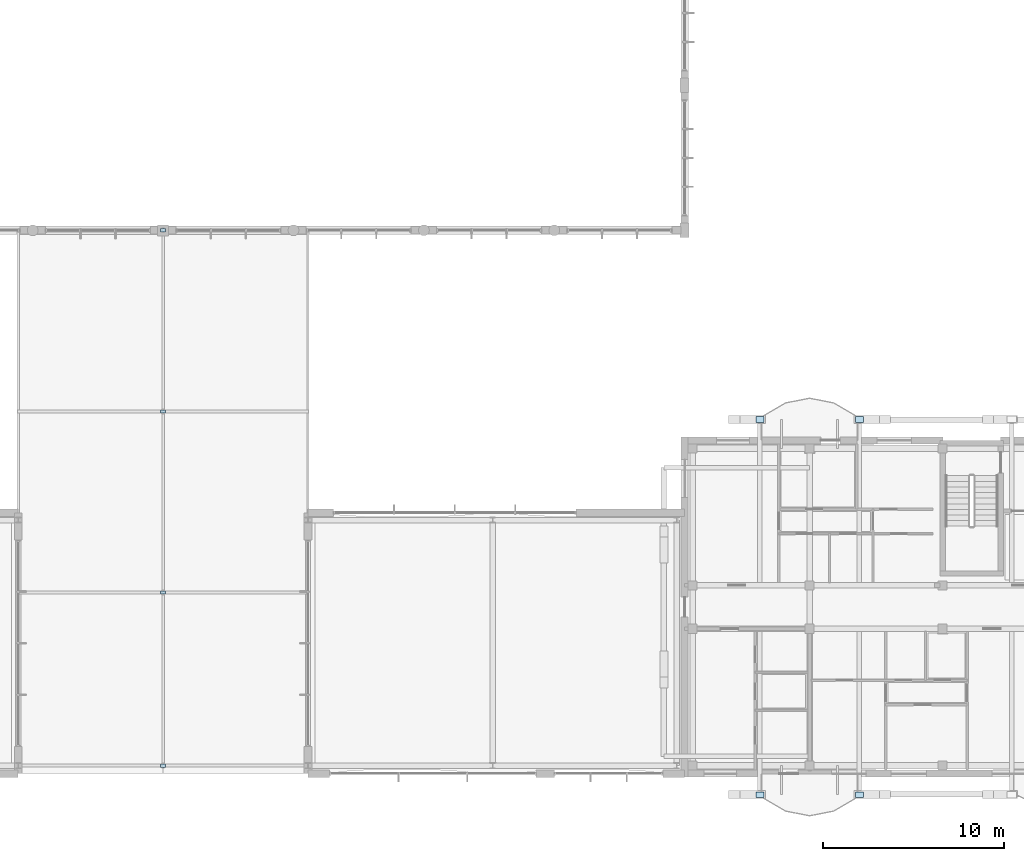
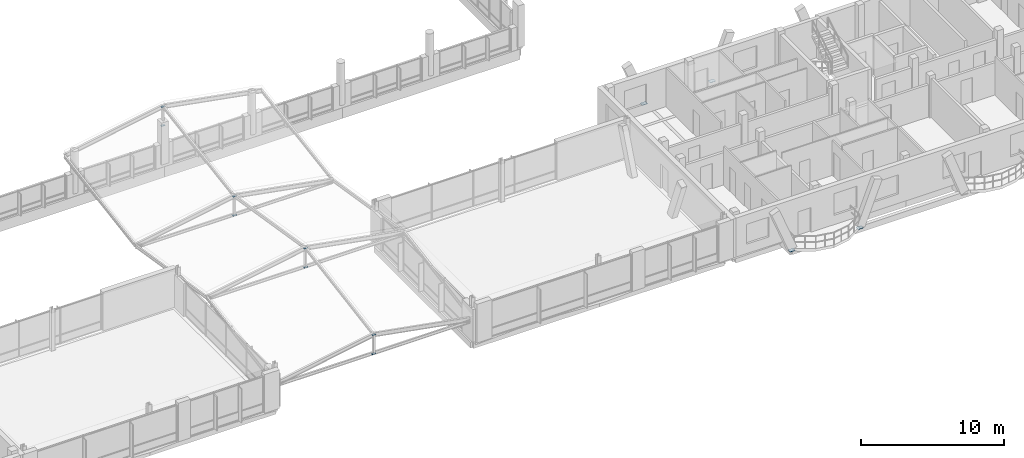
# One storey, part 135 of 189: 12 plates.
"""IFC4 building model written with IfcOpenShell, lengths in metres."""

import ifcopenshell
import ifcopenshell.guid

model = None  # the IFC model being written
_history = None  # IfcOwnerHistory: only IFC2X3 demands one
_inside = {}  # id of a spatial element -> (the spatial element, [elements in it])
_under = {}  # id of a project, library or spatial element -> (it, [spatial elements below it])
_declared = {}  # id of a project -> (the project, [libraries it declares])
_typed = {}  # id of a type object -> (the type object, [elements of that type])
_made_of = {}  # id of a material, layer set ... -> (it, [elements and type objects made of it])


def new_model(schema):
    """Start an empty IFC model of exactly this schema.

    Asked for "IFC4X3", IfcOpenShell would pick the latest addendum, in which some entities
    have other attributes; the version numbers below select the first issue.
    IFC2X3 requires an IfcOwnerHistory on every rooted entity: one is made here for all.
    """
    global model, _history
    if schema == "IFC4X3":
        model = ifcopenshell.file(schema_version=(4, 3, 0, 0))
    else:
        model = ifcopenshell.file(schema=schema)
    _inside.clear()
    _under.clear()
    _declared.clear()
    _typed.clear()
    _made_of.clear()
    _history = None
    if model.schema == "IFC2X3":
        org = make("IfcOrganization", Name="unknown")
        user = make(
            "IfcPersonAndOrganization",
            ThePerson=make("IfcPerson", FamilyName="unknown"),
            TheOrganization=org,
        )
        app = make(
            "IfcApplication",
            ApplicationDeveloper=org,
            Version="unknown",
            ApplicationFullName="unknown",
            ApplicationIdentifier="unknown",
        )
        _history = make(
            "IfcOwnerHistory",
            OwningUser=user,
            OwningApplication=app,
            ChangeAction="ADDED",
            CreationDate=0,
        )
    return model


def make(cls, **values):
    """One entity of the class cls with the attributes given. An attribute that is None is left unset."""
    return model.create_entity(
        cls, **{name: value for name, value in values.items() if value is not None}
    )


def rooted(cls, **values):
    """An entity with a GlobalId (a new one), such as an element, a storey or a relation."""
    return make(cls, GlobalId=ifcopenshell.guid.new(), OwnerHistory=_history, **values)


def si_unit(unit_type, name, prefix=None):
    """IfcSIUnit, for example si_unit("LENGTHUNIT", "METRE", prefix="MILLI")."""
    return make("IfcSIUnit", UnitType=unit_type, Prefix=prefix, Name=name)


def assignment(units):
    """IfcUnitAssignment: the units of a project."""
    return None if units is None else make("IfcUnitAssignment", Units=units)


def point(xyz):
    """IfcCartesianPoint."""
    return None if xyz is None else make("IfcCartesianPoint", Coordinates=xyz)


def direction(xyz):
    """IfcDirection."""
    return None if xyz is None else make("IfcDirection", DirectionRatios=xyz)


def frame(location, z_axis=None, x_axis=None):
    """IfcAxis2Placement3D, a coordinate frame: its origin and axes. An axis left out is left unset."""
    return make(
        "IfcAxis2Placement3D",
        Location=point(location),
        Axis=direction(z_axis),
        RefDirection=direction(x_axis),
    )


def frame_2d(location, x_axis=None):
    """IfcAxis2Placement2D, a coordinate frame in the plane: its origin and x axis."""
    return make(
        "IfcAxis2Placement2D", Location=point(location), RefDirection=direction(x_axis)
    )


def origin():
    """The frame at (0, 0, 0) with its axes left unset."""
    return frame((0.0, 0.0, 0.0))


def origin_2d():
    """The frame at (0, 0) in the plane with its x axis left unset."""
    return frame_2d((0.0, 0.0))


def place(relative_to, where):
    """IfcLocalPlacement: puts the frame where relative to a parent placement (None: the world)."""
    return make(
        "IfcLocalPlacement", PlacementRelTo=relative_to, RelativePlacement=where
    )


def context(
    kind, dimensions, precision=None, world=None, true_north=None, identifier=None
):
    """IfcGeometricRepresentationContext, for example the 3D "Model" context."""
    return make(
        "IfcGeometricRepresentationContext",
        ContextIdentifier=identifier,
        ContextType=kind,
        CoordinateSpaceDimension=dimensions,
        Precision=precision,
        WorldCoordinateSystem=world,
        TrueNorth=true_north,
    )


def subcontext(parent, identifier, kind, view, scale=None):
    """IfcGeometricRepresentationSubContext, for example "Body" below "Model"."""
    return make(
        "IfcGeometricRepresentationSubContext",
        ContextIdentifier=identifier,
        ContextType=kind,
        ParentContext=parent,
        TargetScale=scale,
        TargetView=view,
    )


def project(units=None, contexts=None):
    """IfcProject with its units and contexts."""
    return rooted(
        "IfcProject",
        Name="project",
        RepresentationContexts=contexts,
        UnitsInContext=assignment(units),
    )


def spatial(cls, under=None, at=None, **own):
    """A site, building, storey or space (cls), placed at a placement, below another one or the project."""
    s = rooted(cls, ObjectPlacement=at, **own)
    if under is not None:
        _under.setdefault(under.id(), (under, []))[1].append(s)
    return s


def profile(cls, at=None, kind="AREA", **sizes):
    """A parametric profile (cls). Its sizes go by their IFC names, for example OverallWidth=200.0."""
    return make(cls, ProfileType=kind, Position=at, **sizes)


def rectangle(**sizes):
    """IfcRectangleProfileDef."""
    return profile("IfcRectangleProfileDef", **sizes)


def extrude(swept, where, along, depth):
    """IfcExtrudedAreaSolid: the profile swept, set in the frame where, extruded along a direction by depth."""
    return make(
        "IfcExtrudedAreaSolid",
        SweptArea=swept,
        Position=where,
        ExtrudedDirection=direction(along),
        Depth=depth,
    )


def shape(context_of_items, identifier, shape_type, items):
    """IfcShapeRepresentation: the items that make up one representation, for example the "Body"."""
    return make(
        "IfcShapeRepresentation",
        ContextOfItems=context_of_items,
        RepresentationIdentifier=identifier,
        RepresentationType=shape_type,
        Items=items,
    )


def material(Name=None, Category=None):
    """IfcMaterial."""
    return make("IfcMaterial", Name=Name, Category=Category)


def layer(
    of_material, thickness, ventilated=None, Name=None, Category=None, Priority=None
):
    """IfcMaterialLayer: one layer of a wall or slab, of a material (None: an air gap)."""
    return make(
        "IfcMaterialLayer",
        Material=of_material,
        LayerThickness=thickness,
        IsVentilated=ventilated,
        Name=Name,
        Category=Category,
        Priority=Priority,
    )


def layer_set(layers, Name=None):
    """IfcMaterialLayerSet."""
    return make("IfcMaterialLayerSet", MaterialLayers=layers, LayerSetName=Name)


def made_of(thing, what):
    """Note that an element or type object is made of a material, layer set ...; save() writes the relation."""
    if what is not None:
        _made_of.setdefault(what.id(), (what, []))[1].append(thing)
    return thing


def type_object(cls, material=None, **own):
    """A type object (cls), such as IfcWallType, which elements share."""
    return made_of(rooted(cls, **own), material)


def element(
    cls,
    number,
    at=None,
    inside=None,
    cuts=None,
    type_object=None,
    material=None,
    context=None,
    identifier="Body",
    shape_type=None,
    held_by="IfcProductDefinitionShape",
    body=None,
    shapes=None,
    **own,
):
    """One element of the class cls, such as IfcWall. Its Tag is "e" and its number.

    at: its placement. inside: the storey or other place that contains it. cuts: it is an
    opening in that element (IfcRelVoidsElement). A single representation is given by context,
    identifier, shape_type and body (its items); several are given by shapes. held_by: the class
    of the entity that holds the representations. save() writes the other relations.
    """
    e = rooted(cls, Tag="e%d" % number, ObjectPlacement=at, **own)
    if body is not None:
        shapes = [shape(context, identifier, shape_type, body)]
    if shapes is not None:
        e.Representation = make(held_by, Representations=shapes)
    if inside is not None:
        _inside.setdefault(inside.id(), (inside, []))[1].append(e)
    if cuts is not None:
        rooted(
            "IfcRelVoidsElement", RelatingBuildingElement=cuts, RelatedOpeningElement=e
        )
    if type_object is not None:
        _typed.setdefault(type_object.id(), (type_object, []))[1].append(e)
    return made_of(e, material)


def aggregate(whole, parts):
    """IfcRelAggregates: a whole, such as a stair, and the parts it consists of."""
    return rooted("IfcRelAggregates", RelatingObject=whole, RelatedObjects=parts)


def save(model, path):
    """Write the relations noted so far, then the file.

    IfcRelAggregates (storeys below a building ...), IfcRelContainedInSpatialStructure (elements
    in a storey), IfcRelDefinesByType, IfcRelAssociatesMaterial and IfcRelDeclares: one each for
    every whole, place, type object, material and project.
    """
    for whole, parts in _under.values():
        aggregate(whole, parts)
    for where, things in _inside.values():
        rooted(
            "IfcRelContainedInSpatialStructure",
            RelatedElements=things,
            RelatingStructure=where,
        )
    for kind, things in _typed.values():
        rooted("IfcRelDefinesByType", RelatedObjects=things, RelatingType=kind)
    for what, things in _made_of.values():
        rooted("IfcRelAssociatesMaterial", RelatedObjects=things, RelatingMaterial=what)
    for by, libraries in _declared.values():
        rooted("IfcRelDeclares", RelatingContext=by, RelatedDefinitions=libraries)
    model.write(path)


model = new_model("IFC4")

# Units and contexts
model_context = context("Model", 3, precision=1e-05, world=origin(), true_north=direction((0.0, 1.0)))
body_context = subcontext(model_context, "Body", "Model", "MODEL_VIEW")
ifc_project = project(units=[si_unit("LENGTHUNIT", "METRE"), si_unit("AREAUNIT", "SQUARE_METRE"), si_unit("VOLUMEUNIT", "CUBIC_METRE"), si_unit("PLANEANGLEUNIT", "RADIAN"), si_unit("MASSUNIT", "GRAM", prefix="KILO")], contexts=[model_context])

# Site, building, storey
site_placement = place(None, origin())
site = spatial("IfcSite", under=ifc_project, at=site_placement, CompositionType="ELEMENT")
building_placement = place(site_placement, origin())
building = spatial("IfcBuilding", under=site, at=building_placement, Name="Zavelmont Quarter", CompositionType="ELEMENT")
storey_placement = place(building_placement, frame((0.0, 0.0, 4.39990234375)))
storey = spatial("IfcBuildingStorey", under=building, at=storey_placement, Name="L01", CompositionType="ELEMENT", Elevation=4.39990234375)

# Plates
ifc_material = material(Name="Steel S355", Category="steel")
ifc_layer_1 = layer(ifc_material, 0.02001953125)
ifc_layer_set_1 = layer_set([ifc_layer_1], Name="Steel S355")
plate_type_1 = type_object("IfcPlateType", Name="NP01", PredefinedType="SHEET", material=ifc_layer_set_1)
for number, where, z_axis, x_axis, name in (
    (1, (84.0, 0.43994140625, 1.510009765625), (0.0, 0.0, 1.0), (1.0, 0.0, 0.0), "L01 steel connection plate NP01 at 13/A"),
    (2, (84.0, 0.43994140625, 3.14013671875), (0.0, 0.0, 1.0), (1.0, 0.0, 0.0), "L01 steel connection plate NP01 at 13/A"),
    (3, (84.0, 10.0, 3.130126953125), (0.0, 0.0, 1.0), (1.0, 0.0, 0.0), "L01 steel connection plate NP01 at 13/C"),
    (4, (84.0, 10.0, 4.760009765625), (0.0, 0.0, 1.0), (1.0, 0.0, 0.0), "L01 steel connection plate NP01 at 13/C"),
    (5, (84.0, 20.0, 1.510009765625), (0.0, 0.0, 1.0), (1.0, 0.0, 0.0), "L01 steel connection plate NP01 at 13/D"),
    (6, (84.0, 20.0, 3.14013671875), (0.0, 0.0, 1.0), (1.0, 0.0, 0.0), "L01 steel connection plate NP01 at 13/D"),
    (7, (84.0, 30.0, 3.130126953125), (0.0, 0.0, 1.0), (1.0, 0.0, 0.0), "L01 steel connection plate NP01 at 13/F"),
    (8, (84.0, 30.0, 4.760009765625), (0.0, 0.0, 1.0), (1.0, 0.0, 0.0), "L01 steel connection plate NP01 at 13/F"),
):
    element("IfcPlate", number, at=place(storey_placement, frame(where, z_axis=z_axis, x_axis=x_axis)), inside=storey, type_object=plate_type_1, Name=name, PredefinedType="SHEET", context=body_context, shape_type="SweptSolid", body=[
        extrude(rectangle(XDim=0.280029296875, YDim=0.179931640625, at=origin_2d()), origin(), (0.0, 0.0, 1.0), 0.02001953125),
    ])
ifc_layer_2 = layer(ifc_material, 0.02490234375)
ifc_layer_set_2 = layer_set([ifc_layer_2], Name="Steel S355")
plate_type_2 = type_object("IfcPlateType", Name="NP03", PredefinedType="SHEET", material=ifc_layer_set_2)
for number, where, z_axis, x_axis, name in (
    (9, (116.9501953125, -1.162109375, -0.21240234375), (0.0, 0.0, 1.0), (1.0, 0.0, 0.0), "L01 steel connection plate NP03 at 18/A"),
    (10, (122.449951171875, -1.162109375, -0.21240234375), (0.0, 0.0, 1.0), (1.0, 0.0, 0.0), "L01 steel connection plate NP03 at 18/A"),
    (11, (116.9501953125, 19.56201171875, -0.21240234375), (0.0, 0.0, 1.0), (1.0, 0.0, 0.0), "L01 steel connection plate NP03 at 18/D"),
    (12, (122.449951171875, 19.56201171875, -0.21240234375), (0.0, 0.0, 1.0), (1.0, 0.0, 0.0), "L01 steel connection plate NP03 at 18/D"),
):
    element("IfcPlate", number, at=place(storey_placement, frame(where, z_axis=z_axis, x_axis=x_axis)), inside=storey, type_object=plate_type_2, Name=name, PredefinedType="SHEET", context=body_context, shape_type="SweptSolid", body=[
        extrude(rectangle(XDim=0.43994140625, YDim=0.320068359375, at=origin_2d()), origin(), (0.0, 0.0, 1.0), 0.02490234375),
    ])

save(model, "model.ifc")
